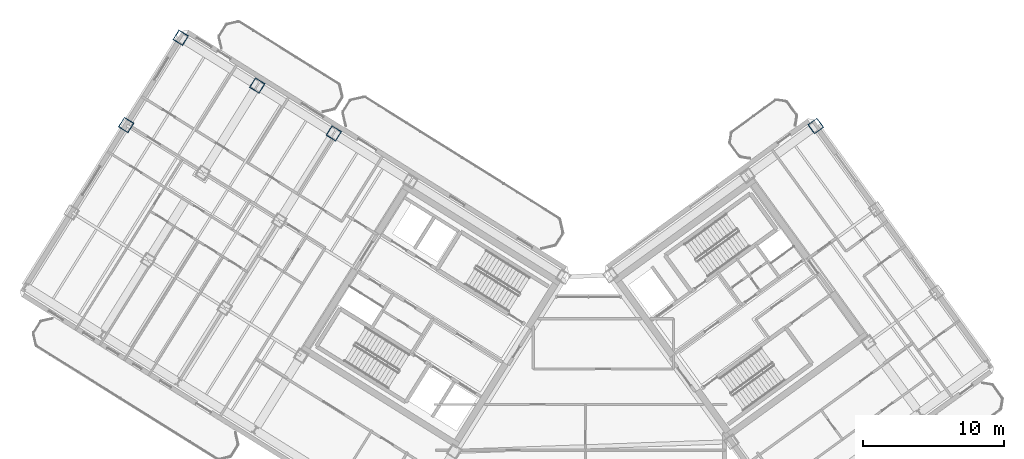
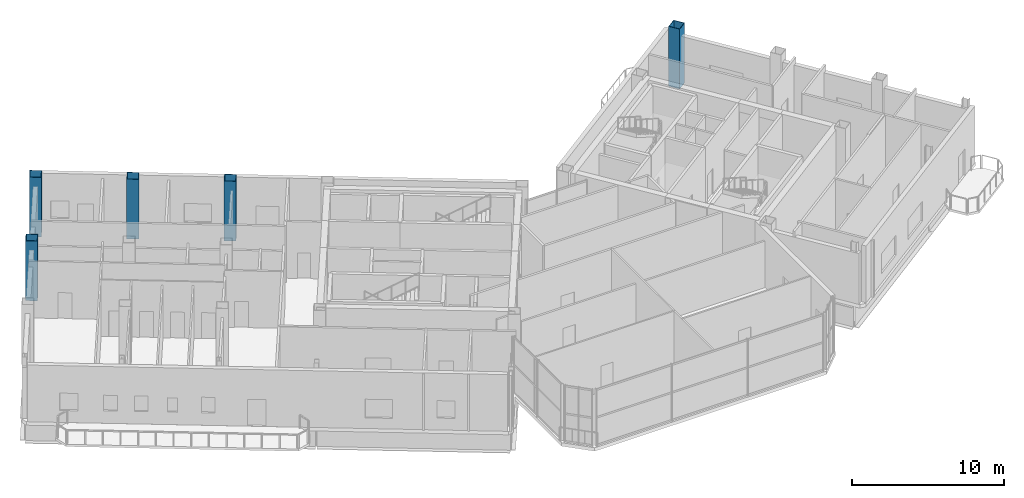
# One storey, part 3 of 26: 5 columns.
"""IFC4 building model written with IfcOpenShell, lengths in metres."""

import ifcopenshell
import ifcopenshell.guid

model = None  # the IFC model being written
_history = None  # IfcOwnerHistory: only IFC2X3 demands one
_inside = {}  # id of a spatial element -> (the spatial element, [elements in it])
_under = {}  # id of a project, library or spatial element -> (it, [spatial elements below it])
_declared = {}  # id of a project -> (the project, [libraries it declares])
_typed = {}  # id of a type object -> (the type object, [elements of that type])
_made_of = {}  # id of a material, layer set ... -> (it, [elements and type objects made of it])


def new_model(schema):
    """Start an empty IFC model of exactly this schema.

    Asked for "IFC4X3", IfcOpenShell would pick the latest addendum, in which some entities
    have other attributes; the version numbers below select the first issue.
    IFC2X3 requires an IfcOwnerHistory on every rooted entity: one is made here for all.
    """
    global model, _history
    if schema == "IFC4X3":
        model = ifcopenshell.file(schema_version=(4, 3, 0, 0))
    else:
        model = ifcopenshell.file(schema=schema)
    _inside.clear()
    _under.clear()
    _declared.clear()
    _typed.clear()
    _made_of.clear()
    _history = None
    if model.schema == "IFC2X3":
        org = make("IfcOrganization", Name="unknown")
        user = make(
            "IfcPersonAndOrganization",
            ThePerson=make("IfcPerson", FamilyName="unknown"),
            TheOrganization=org,
        )
        app = make(
            "IfcApplication",
            ApplicationDeveloper=org,
            Version="unknown",
            ApplicationFullName="unknown",
            ApplicationIdentifier="unknown",
        )
        _history = make(
            "IfcOwnerHistory",
            OwningUser=user,
            OwningApplication=app,
            ChangeAction="ADDED",
            CreationDate=0,
        )
    return model


def make(cls, **values):
    """One entity of the class cls with the attributes given. An attribute that is None is left unset."""
    return model.create_entity(
        cls, **{name: value for name, value in values.items() if value is not None}
    )


def rooted(cls, **values):
    """An entity with a GlobalId (a new one), such as an element, a storey or a relation."""
    return make(cls, GlobalId=ifcopenshell.guid.new(), OwnerHistory=_history, **values)


def si_unit(unit_type, name, prefix=None):
    """IfcSIUnit, for example si_unit("LENGTHUNIT", "METRE", prefix="MILLI")."""
    return make("IfcSIUnit", UnitType=unit_type, Prefix=prefix, Name=name)


def assignment(units):
    """IfcUnitAssignment: the units of a project."""
    return None if units is None else make("IfcUnitAssignment", Units=units)


def point(xyz):
    """IfcCartesianPoint."""
    return None if xyz is None else make("IfcCartesianPoint", Coordinates=xyz)


def direction(xyz):
    """IfcDirection."""
    return None if xyz is None else make("IfcDirection", DirectionRatios=xyz)


def frame(location, z_axis=None, x_axis=None):
    """IfcAxis2Placement3D, a coordinate frame: its origin and axes. An axis left out is left unset."""
    return make(
        "IfcAxis2Placement3D",
        Location=point(location),
        Axis=direction(z_axis),
        RefDirection=direction(x_axis),
    )


def frame_2d(location, x_axis=None):
    """IfcAxis2Placement2D, a coordinate frame in the plane: its origin and x axis."""
    return make(
        "IfcAxis2Placement2D", Location=point(location), RefDirection=direction(x_axis)
    )


def origin():
    """The frame at (0, 0, 0) with its axes left unset."""
    return frame((0.0, 0.0, 0.0))


def origin_2d():
    """The frame at (0, 0) in the plane with its x axis left unset."""
    return frame_2d((0.0, 0.0))


def place(relative_to, where):
    """IfcLocalPlacement: puts the frame where relative to a parent placement (None: the world)."""
    return make(
        "IfcLocalPlacement", PlacementRelTo=relative_to, RelativePlacement=where
    )


def context(
    kind, dimensions, precision=None, world=None, true_north=None, identifier=None
):
    """IfcGeometricRepresentationContext, for example the 3D "Model" context."""
    return make(
        "IfcGeometricRepresentationContext",
        ContextIdentifier=identifier,
        ContextType=kind,
        CoordinateSpaceDimension=dimensions,
        Precision=precision,
        WorldCoordinateSystem=world,
        TrueNorth=true_north,
    )


def subcontext(parent, identifier, kind, view, scale=None):
    """IfcGeometricRepresentationSubContext, for example "Body" below "Model"."""
    return make(
        "IfcGeometricRepresentationSubContext",
        ContextIdentifier=identifier,
        ContextType=kind,
        ParentContext=parent,
        TargetScale=scale,
        TargetView=view,
    )


def project(units=None, contexts=None):
    """IfcProject with its units and contexts."""
    return rooted(
        "IfcProject",
        Name="project",
        RepresentationContexts=contexts,
        UnitsInContext=assignment(units),
    )


def spatial(cls, under=None, at=None, **own):
    """A site, building, storey or space (cls), placed at a placement, below another one or the project."""
    s = rooted(cls, ObjectPlacement=at, **own)
    if under is not None:
        _under.setdefault(under.id(), (under, []))[1].append(s)
    return s


def profile(cls, at=None, kind="AREA", **sizes):
    """A parametric profile (cls). Its sizes go by their IFC names, for example OverallWidth=200.0."""
    return make(cls, ProfileType=kind, Position=at, **sizes)


def hollow_rectangle(**sizes):
    """IfcRectangleHollowProfileDef."""
    return profile("IfcRectangleHollowProfileDef", **sizes)


def extrude(swept, where, along, depth):
    """IfcExtrudedAreaSolid: the profile swept, set in the frame where, extruded along a direction by depth."""
    return make(
        "IfcExtrudedAreaSolid",
        SweptArea=swept,
        Position=where,
        ExtrudedDirection=direction(along),
        Depth=depth,
    )


def shape(context_of_items, identifier, shape_type, items):
    """IfcShapeRepresentation: the items that make up one representation, for example the "Body"."""
    return make(
        "IfcShapeRepresentation",
        ContextOfItems=context_of_items,
        RepresentationIdentifier=identifier,
        RepresentationType=shape_type,
        Items=items,
    )


def source(mapping_origin, context_of_items, identifier, shape_type, items):
    """IfcRepresentationMap: a shape defined once, which mapped items show again and again."""
    return make(
        "IfcRepresentationMap",
        MappingOrigin=mapping_origin,
        MappedRepresentation=shape(context_of_items, identifier, shape_type, items),
    )


def transform(
    local_origin,
    x_axis=None,
    y_axis=None,
    z_axis=None,
    scale=None,
    scale2=None,
    scale3=None,
    uniform=True,
):
    """IfcCartesianTransformationOperator3D, or its non-uniform kind. x_axis, y_axis, z_axis: its Axis1, 2, 3."""
    if uniform:
        return make(
            "IfcCartesianTransformationOperator3D",
            Axis1=direction(x_axis),
            Axis2=direction(y_axis),
            LocalOrigin=point(local_origin),
            Scale=scale,
            Axis3=direction(z_axis),
        )
    return make(
        "IfcCartesianTransformationOperator3DnonUniform",
        Axis1=direction(x_axis),
        Axis2=direction(y_axis),
        LocalOrigin=point(local_origin),
        Scale=scale,
        Axis3=direction(z_axis),
        Scale2=scale2,
        Scale3=scale3,
    )


def mapped(mapping_source, mapping_target):
    """IfcMappedItem: shows the shape of a source again, moved by a transform."""
    return make(
        "IfcMappedItem", MappingSource=mapping_source, MappingTarget=mapping_target
    )


def material(Name=None, Category=None):
    """IfcMaterial."""
    return make("IfcMaterial", Name=Name, Category=Category)


def material_profile(
    of_material, cross_section, Name=None, Category=None, Priority=None
):
    """IfcMaterialProfile: a cross section and its material."""
    return make(
        "IfcMaterialProfile",
        Name=Name,
        Material=of_material,
        Profile=cross_section,
        Priority=Priority,
        Category=Category,
    )


def profile_set(profiles, Name=None, composite=None):
    """IfcMaterialProfileSet."""
    return make(
        "IfcMaterialProfileSet",
        Name=Name,
        MaterialProfiles=profiles,
        CompositeProfile=composite,
    )


def made_of(thing, what):
    """Note that an element or type object is made of a material, layer set ...; save() writes the relation."""
    if what is not None:
        _made_of.setdefault(what.id(), (what, []))[1].append(thing)
    return thing


def type_object(cls, material=None, **own):
    """A type object (cls), such as IfcWallType, which elements share."""
    return made_of(rooted(cls, **own), material)


def element(
    cls,
    number,
    at=None,
    inside=None,
    cuts=None,
    type_object=None,
    material=None,
    context=None,
    identifier="Body",
    shape_type=None,
    held_by="IfcProductDefinitionShape",
    body=None,
    shapes=None,
    **own,
):
    """One element of the class cls, such as IfcWall. Its Tag is "e" and its number.

    at: its placement. inside: the storey or other place that contains it. cuts: it is an
    opening in that element (IfcRelVoidsElement). A single representation is given by context,
    identifier, shape_type and body (its items); several are given by shapes. held_by: the class
    of the entity that holds the representations. save() writes the other relations.
    """
    e = rooted(cls, Tag="e%d" % number, ObjectPlacement=at, **own)
    if body is not None:
        shapes = [shape(context, identifier, shape_type, body)]
    if shapes is not None:
        e.Representation = make(held_by, Representations=shapes)
    if inside is not None:
        _inside.setdefault(inside.id(), (inside, []))[1].append(e)
    if cuts is not None:
        rooted(
            "IfcRelVoidsElement", RelatingBuildingElement=cuts, RelatedOpeningElement=e
        )
    if type_object is not None:
        _typed.setdefault(type_object.id(), (type_object, []))[1].append(e)
    return made_of(e, material)


def aggregate(whole, parts):
    """IfcRelAggregates: a whole, such as a stair, and the parts it consists of."""
    return rooted("IfcRelAggregates", RelatingObject=whole, RelatedObjects=parts)


def save(model, path):
    """Write the relations noted so far, then the file.

    IfcRelAggregates (storeys below a building ...), IfcRelContainedInSpatialStructure (elements
    in a storey), IfcRelDefinesByType, IfcRelAssociatesMaterial and IfcRelDeclares: one each for
    every whole, place, type object, material and project.
    """
    for whole, parts in _under.values():
        aggregate(whole, parts)
    for where, things in _inside.values():
        rooted(
            "IfcRelContainedInSpatialStructure",
            RelatedElements=things,
            RelatingStructure=where,
        )
    for kind, things in _typed.values():
        rooted("IfcRelDefinesByType", RelatedObjects=things, RelatingType=kind)
    for what, things in _made_of.values():
        rooted("IfcRelAssociatesMaterial", RelatedObjects=things, RelatingMaterial=what)
    for by, libraries in _declared.values():
        rooted("IfcRelDeclares", RelatingContext=by, RelatedDefinitions=libraries)
    model.write(path)


model = new_model("IFC4")

# Units and contexts
model_context = context("Model", 3, precision=1e-05, world=origin(), true_north=direction((0.0, 1.0)))
body_context = subcontext(model_context, "Body", "Model", "MODEL_VIEW")
ifc_project = project(units=[si_unit("LENGTHUNIT", "METRE"), si_unit("AREAUNIT", "SQUARE_METRE"), si_unit("VOLUMEUNIT", "CUBIC_METRE"), si_unit("PLANEANGLEUNIT", "RADIAN"), si_unit("MASSUNIT", "GRAM", prefix="KILO")], contexts=[model_context])

# Site, building, storey
site_placement = place(None, origin())
site = spatial("IfcSite", under=ifc_project, at=site_placement, CompositionType="ELEMENT")
building_placement = place(site_placement, origin())
building = spatial("IfcBuilding", under=site, at=building_placement, Name="Tlacorven Tower", CompositionType="ELEMENT")
storey_placement = place(building_placement, frame((0.0, 0.0, 233.699951171875)))
storey = spatial("IfcBuildingStorey", under=building, at=storey_placement, Name="L59", CompositionType="ELEMENT", Elevation=233.699951171875)

# Columns
ifc_material = material(Name="Steel S460M", Category="steel")
ifc_material_profile = material_profile(ifc_material, hollow_rectangle(XDim=0.800048828125, YDim=0.800048828125, WallThickness=0.031982421875, at=origin_2d()), Name="BOX 800X800X32")
ifc_profile_set = profile_set([ifc_material_profile], Name="Steel S460M")
column_type = type_object("IfcColumnType", Name="COL-TWR-S3", PredefinedType="COLUMN", material=ifc_profile_set)
shared_shape = source(origin(), body_context, "Body", "SweptSolid", [
    extrude(hollow_rectangle(XDim=0.800048828125, YDim=0.800048828125, WallThickness=0.031982421875, at=origin_2d()), origin(), (0.0, 0.0, 1.0), 4.800048828125),
])
for number, where, z_axis, x_axis, name in (
    (1, (24.50048828125, 34.642822265625, 0.0), (0.0, 0.0, 1.0), (-0.848048096156, 0.529919264233, 0.0), "L59 column COL-L59-W4-1"),
    (2, (19.072998046875, 38.034423828125, 0.0), (0.0, 0.0, 1.0), (-0.848048096156, 0.529919264233, 0.0), "L59 column COL-L59-W5-1"),
    (3, (13.6455078125, 41.42578125, 0.0), (0.0, 0.0, 1.0), (-0.848048096156, 0.529919264233, 0.0), "L59 column COL-L59-W6-1"),
    (4, (9.777099609375, 35.235107421875, 0.0), (0.0, 0.0, 1.0), (-0.848048096156, 0.529919264233, 0.0), "L59 column COL-L59-W6-2"),
    (5, (58.68603515625, 35.165283203125, 0.0), (0.0, 0.0, 1.0), (0.809016994375, 0.587785252292, 0.0), "L59 column COL-L59-E4-4"),
):
    element("IfcColumn", number, at=place(storey_placement, frame(where, z_axis=z_axis, x_axis=x_axis)), inside=storey, type_object=column_type, Name=name, PredefinedType="COLUMN", context=body_context, shape_type="MappedRepresentation", body=[
        mapped(shared_shape, transform((0.0, 0.0, 0.0), scale=1.0)),
    ])

save(model, "model.ifc")
